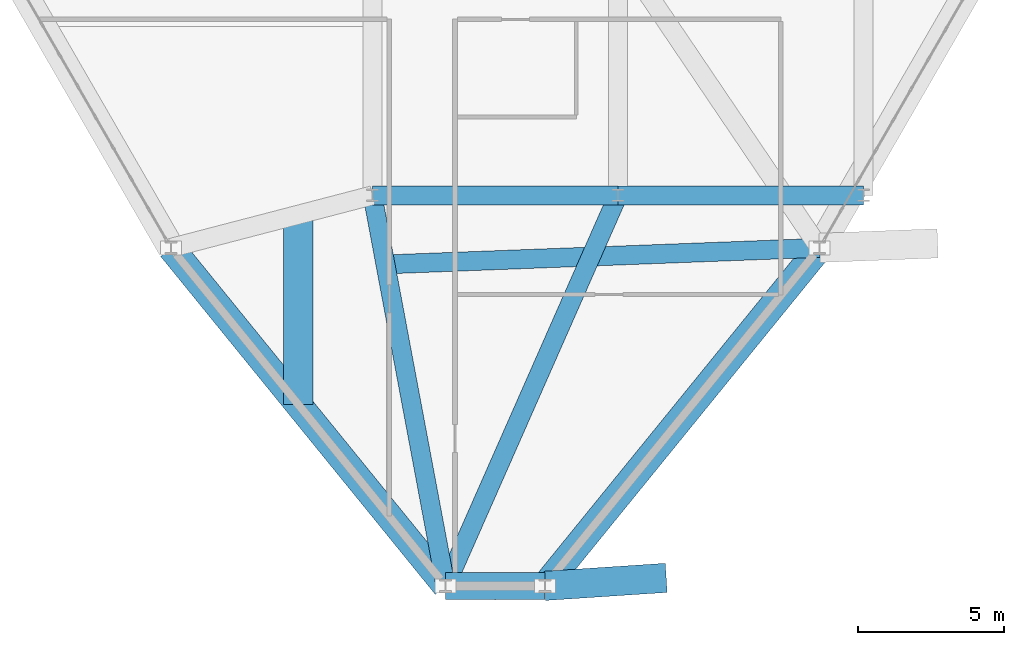
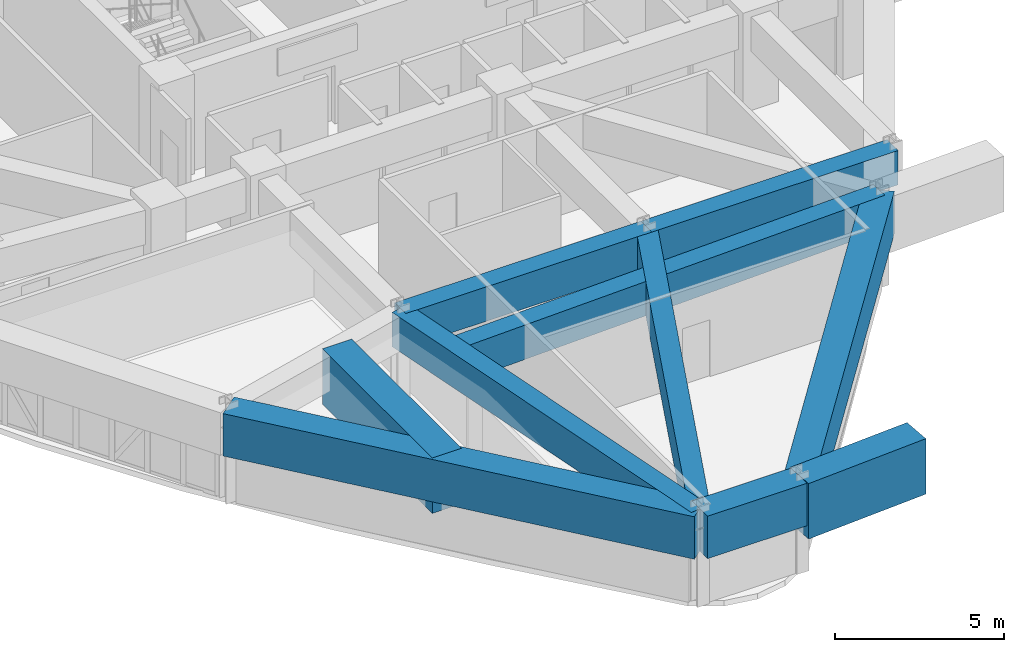
# One storey, part 3 of 15: 10 beams.
"""IFC4 building model written with IfcOpenShell, lengths in metres."""

from ifc_helpers import new_model, si_unit, derived_unit, direction, frame, origin, origin_2d, place, context, subcontext, project, spatial, rectangle, extrude, source, transform, mapped, material, material_profile, profile_set, type_object, element, save


model = new_model("IFC4")

# Units and contexts
model_context = context("Model", 3, precision=1e-05, world=origin(), true_north=direction((0.0, 1.0)))
body_context = subcontext(model_context, "Body", "Model", "MODEL_VIEW")
ifc_project = project(units=[si_unit("LENGTHUNIT", "METRE"), si_unit("AREAUNIT", "SQUARE_METRE"), si_unit("VOLUMEUNIT", "CUBIC_METRE"), si_unit("PLANEANGLEUNIT", "RADIAN"), si_unit("MASSUNIT", "GRAM", prefix="KILO"), derived_unit("THERMALTRANSMITTANCEUNIT", [(si_unit("POWERUNIT", "WATT"), 1), (si_unit("LENGTHUNIT", "METRE"), -2), (si_unit("THERMODYNAMICTEMPERATUREUNIT", "KELVIN"), -1)])], contexts=[model_context])

# Site, building, storey
site_placement = place(None, origin())
site = spatial("IfcSite", under=ifc_project, at=site_placement, CompositionType="ELEMENT")
building_placement = place(site_placement, origin())
building = spatial("IfcBuilding", under=site, at=building_placement, Name="Korsvarv Bourse and Concert Hall", CompositionType="ELEMENT")
storey_placement = place(building_placement, frame((0.0, 0.0, 165.0)))
storey = spatial("IfcBuildingStorey", under=building, at=storey_placement, Name="L42", CompositionType="ELEMENT", Elevation=165.0)

# Beams
ifc_material_1 = material(Name="Concrete C50/60", Category="concrete")
ifc_material_profile_1 = material_profile(ifc_material_1, rectangle(XDim=0.64990234375, YDim=1.239990234375, at=origin_2d()), Name="RC-BM 650x1240")
ifc_profile_set_1 = profile_set([ifc_material_profile_1], Name="Concrete C50/60")
beam_type_1 = type_object("IfcBeamType", Name="BM-TR-SPN", PredefinedType="BEAM", material=ifc_profile_set_1)
shared_shape_1 = source(origin(), body_context, "Body", "SweptSolid", [
    extrude(rectangle(XDim=0.64990234375, YDim=1.239990234375, at=origin_2d()), origin(), (0.0, 0.0, 1.0), 8.39990234375),
])
for number, where, z_axis, x_axis, name in (
    (1, (27.60009765625, 24.0, 2.75), (1.0, 0.0, 0.0), (0.0, 1.0, 0.0), "L42 beam B-TRS"),
    (2, (36.0, 24.0, 2.75), (1.0, 0.0, 0.0), (0.0, 1.0, 0.0), "L42 beam B-TRS"),
):
    element("IfcBeam", number, at=place(storey_placement, frame(where, z_axis=z_axis, x_axis=x_axis)), inside=storey, type_object=beam_type_1, Name=name, PredefinedType="BEAM", context=body_context, shape_type="MappedRepresentation", body=[
        mapped(shared_shape_1, transform((0.0, 0.0, 0.0), scale=1.0)),
    ])
ifc_material_profile_2 = material_profile(ifc_material_1, rectangle(XDim=0.919921875, YDim=1.530029296875, at=origin_2d()), Name="RC-BM 920x1530")
ifc_profile_set_2 = profile_set([ifc_material_profile_2], Name="Concrete C50/60")
beam_type_2 = type_object("IfcBeamType", Name="BM-TR-154", PredefinedType="BEAM", material=ifc_profile_set_2)
shared_shape_2 = source(origin(), body_context, "Body", "SweptSolid", [
    extrude(rectangle(XDim=0.919921875, YDim=1.530029296875, at=origin_2d()), origin(), (0.0, 0.0, 1.0), 3.391357421875),
])
beam_1_placement = place(storey_placement, frame((30.104248046875, 10.63525390625, 2.60498046875), z_axis=(1.0, 0.0, 0.0), x_axis=(0.0, 1.0, 0.0)))
element("IfcBeam", 3, at=beam_1_placement, inside=storey, type_object=beam_type_2, Name="L42 beam B-TR6", PredefinedType="BEAM", context=body_context, shape_type="MappedRepresentation", body=[
    mapped(shared_shape_2, transform((0.0, 0.0, 0.0), scale=1.0)),
])
shared_shape_3 = source(origin(), body_context, "Body", "SweptSolid", [
    extrude(rectangle(XDim=0.919921875, YDim=1.530029296875, at=origin_2d()), origin(), (0.0, 0.0, 1.0), 14.90478515625),
])
beam_2_placement = place(storey_placement, frame((33.49560546875, 10.63525390625, 2.60498046875), z_axis=(0.630647506251, 0.776069405955, 0.0), x_axis=(-0.776069405955, 0.630647506251, 0.0)))
element("IfcBeam", 4, at=beam_2_placement, inside=storey, type_object=beam_type_2, Name="L42 beam B-TR6", PredefinedType="BEAM", context=body_context, shape_type="MappedRepresentation", body=[
    mapped(shared_shape_3, transform((0.0, 0.0, 0.0), scale=1.0)),
])
shared_shape_4 = source(origin(), body_context, "Body", "SweptSolid", [
    extrude(rectangle(XDim=0.919921875, YDim=1.530029296875, at=origin_2d()), origin(), (0.0, 0.0, 1.0), 14.904541015625),
])
beam_3_placement = place(storey_placement, frame((20.704833984375, 22.202392578125, 2.60498046875), z_axis=(0.630637640673, -0.776077422791, 0.0), x_axis=(0.776077422791, 0.630637640673, 0.0)))
element("IfcBeam", 5, at=beam_3_placement, inside=storey, type_object=beam_type_2, Name="L42 beam B-TR6", PredefinedType="BEAM", context=body_context, shape_type="MappedRepresentation", body=[
    mapped(shared_shape_4, transform((0.0, 0.0, 0.0), scale=1.0)),
])
shared_shape_5 = source(origin(), body_context, "Body", "SweptSolid", [
    extrude(rectangle(XDim=0.64990234375, YDim=1.239990234375, at=origin_2d()), origin(), (0.0, 0.0, 1.0), 14.607421875),
])
beam_4_placement = place(storey_placement, frame((30.104248046875, 10.63525390625, 2.75), z_axis=(0.403613871481, 0.914929419545, 0.0), x_axis=(-0.914929419545, 0.403613871481, 0.0)))
element("IfcBeam", 6, at=beam_4_placement, inside=storey, type_object=beam_type_1, Name="L42 beam B-TRS", PredefinedType="BEAM", context=body_context, shape_type="MappedRepresentation", body=[
    mapped(shared_shape_5, transform((0.0, 0.0, 0.0), scale=1.0)),
])
ifc_material_2 = material(Name="Concrete C60/75", Category="concrete")
ifc_material_profile_3 = material_profile(ifc_material_2, rectangle(XDim=1.0, YDim=2.0, at=origin_2d()), Name="RC-BM 1000x2000")
ifc_profile_set_3 = profile_set([ifc_material_profile_3], Name="Concrete C60/75")
beam_type_3 = type_object("IfcBeamType", Name="BM-TR1", PredefinedType="BEAM", material=ifc_profile_set_3)
shared_shape_6 = source(origin(), body_context, "Body", "SweptSolid", [
    extrude(rectangle(XDim=1.0, YDim=2.0, at=origin_2d()), origin(), (0.0, 0.0, 1.0), 6.49560546875),
])
beam_5_placement = place(storey_placement, frame((25.060302734375, 16.84228515625, 2.3701171875), z_axis=(0.0, 1.0, 0.0), x_axis=(-1.0, 0.0, 0.0)))
element("IfcBeam", 7, at=beam_5_placement, inside=storey, type_object=beam_type_3, Name="L42 Block-Shift Transverse Transfer Girder 8", PredefinedType="BEAM", context=body_context, shape_type="MappedRepresentation", body=[
    mapped(shared_shape_6, transform((0.0, 0.0, 0.0), scale=1.0)),
])
shared_shape_7 = source(origin(), body_context, "Body", "SweptSolid", [
    extrude(rectangle(XDim=1.0, YDim=2.0, at=origin_2d()), origin(), (0.0, 0.0, 1.0), 4.1650390625),
])
beam_6_placement = place(storey_placement, frame((33.49560546875, 10.63525390625, 2.3701171875), z_axis=(0.997811791541, 0.066118292948, 0.0), x_axis=(-0.066118292948, 0.997811791541, 0.0)))
element("IfcBeam", 8, at=beam_6_placement, inside=storey, type_object=beam_type_3, Name="L42 Block-Shift Transfer Girder 10", PredefinedType="BEAM", context=body_context, shape_type="MappedRepresentation", body=[
    mapped(shared_shape_7, transform((0.0, 0.0, 0.0), scale=1.0)),
])
shared_shape_8 = source(origin(), body_context, "Body", "SweptSolid", [
    extrude(rectangle(XDim=0.64990234375, YDim=1.239990234375, at=origin_2d()), origin(), (0.0, 0.0, 1.0), 13.597412109375),
])
beam_7_placement = place(storey_placement, frame((30.104248046875, 10.63525390625, 2.75), z_axis=(-0.184164948645, 0.982895351342, 0.0), x_axis=(-0.982895351342, -0.184164948645, 0.0)))
element("IfcBeam", 9, at=beam_7_placement, inside=storey, type_object=beam_type_1, Name="L42 beam B-TRS", PredefinedType="BEAM", context=body_context, shape_type="MappedRepresentation", body=[
    mapped(shared_shape_8, transform((0.0, 0.0, 0.0), scale=1.0)),
])
shared_shape_9 = source(origin(), body_context, "Body", "SweptSolid", [
    extrude(rectangle(XDim=0.64990234375, YDim=1.239990234375, at=origin_2d()), origin(), (0.0, 0.0, 1.0), 14.86328125),
])
beam_8_placement = place(storey_placement, frame((28.042724609375, 21.63671875, 2.75), z_axis=(0.999275516313, 0.038058409023, 0.0), x_axis=(-0.038058409023, 0.999275516313, 0.0)))
element("IfcBeam", 10, at=beam_8_placement, inside=storey, type_object=beam_type_1, Name="L42 beam B-TRS", PredefinedType="BEAM", context=body_context, shape_type="MappedRepresentation", body=[
    mapped(shared_shape_9, transform((0.0, 0.0, 0.0), scale=1.0)),
])

save(model, "model.ifc")
